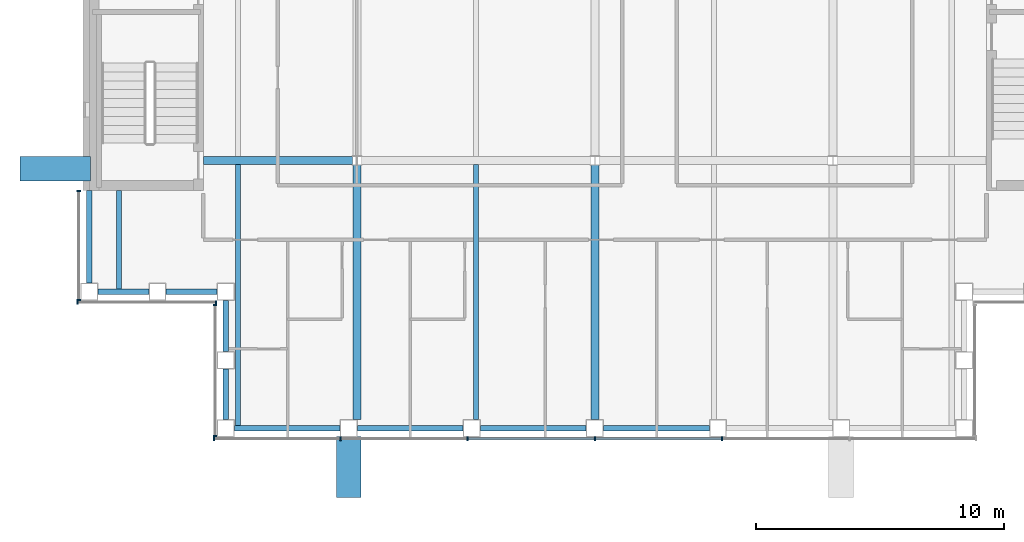
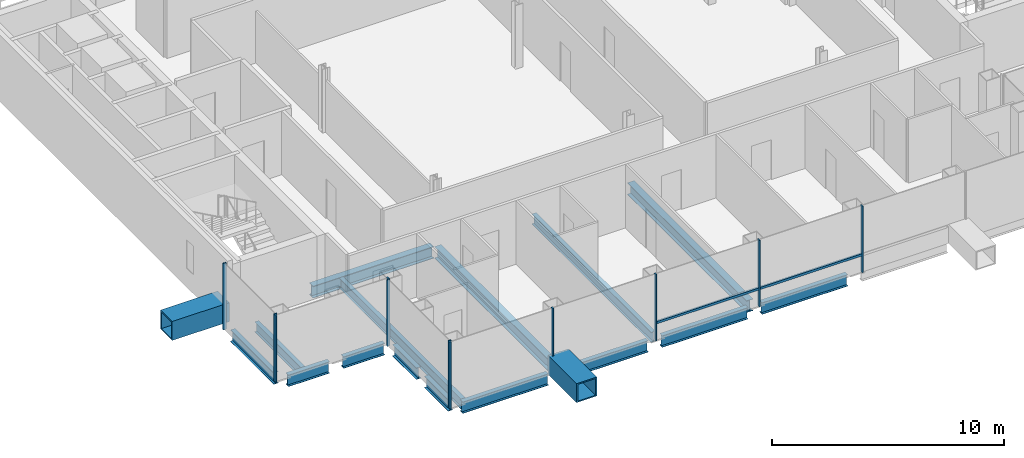
# One storey, part 3 of 14: 17 beams, 13 members, 4 elements without a shape of their own.
"""IFC4 building model written with IfcOpenShell, lengths in metres."""

from ifc_helpers import new_model, si_unit, direction, frame, origin, origin_2d, place, context, subcontext, project, spatial, rectangle, hollow_rectangle, i_section, extrude, material, material_profile, profile_set, type_object, element, aggregate, save


model = new_model("IFC4")

# Units and contexts
model_context = context("Model", 3, precision=1e-05, world=origin(), true_north=direction((0.0, 1.0)))
body_context = subcontext(model_context, "Body", "Model", "MODEL_VIEW")
ifc_project = project(units=[si_unit("LENGTHUNIT", "METRE"), si_unit("AREAUNIT", "SQUARE_METRE"), si_unit("VOLUMEUNIT", "CUBIC_METRE"), si_unit("PLANEANGLEUNIT", "RADIAN"), si_unit("MASSUNIT", "GRAM", prefix="KILO")], contexts=[model_context])

# Site, building, storey
site_placement = place(None, origin())
site = spatial("IfcSite", under=ifc_project, at=site_placement, CompositionType="ELEMENT")
building_placement = place(site_placement, origin())
building = spatial("IfcBuilding", under=site, at=building_placement, Name="Cobrizo Arcos Hotel Tower", CompositionType="ELEMENT")
storey_placement = place(building_placement, frame((0.0, 0.0, 208.5)))
storey = spatial("IfcBuildingStorey", under=building, at=storey_placement, Name="L54", CompositionType="ELEMENT", Elevation=208.5)

# Beams
ifc_material_1 = material(Name="Steel ASTM A572 Grade 50", Category="steel")
ifc_material_profile_1 = material_profile(ifc_material_1, hollow_rectangle(XDim=1.0, YDim=1.0, WallThickness=0.06005859375, at=origin_2d()), Name="BOX 1000X1000X60")
ifc_profile_set_1 = profile_set([ifc_material_profile_1], Name="Steel ASTM A572 Grade 50")
beam_type_1 = type_object("IfcBeamType", Name="BOX 1000X1000X60 brace connector strut", PredefinedType="BEAM", material=ifc_profile_set_1)
beam_1_placement = place(storey_placement, frame((-9.933349609375, -20.739990234375, 0.5), z_axis=(0.0, -1.0, 0.0), x_axis=(1.0, 0.0, 0.0)))
element("IfcBeam", 1, at=beam_1_placement, inside=storey, type_object=beam_type_1, Name="Perimeter brace stub BS1, zone Z4, south face, offset -9.93 m, L54", PredefinedType="BEAM", context=body_context, shape_type="SweptSolid", body=[
    extrude(hollow_rectangle(XDim=1.0, YDim=1.0, WallThickness=0.06005859375, at=origin_2d()), origin(), (0.0, 0.0, 1.0), 2.455078125),
])
beam_2_placement = place(storey_placement, frame((-20.35009765625, -9.933349609375, 0.5), z_axis=(-1.0, 0.0, 0.0), x_axis=(0.0, -1.0, 0.0)))
element("IfcBeam", 2, at=beam_2_placement, inside=storey, type_object=beam_type_1, Name="Perimeter brace stub BS1, zone Z4, west face, offset -9.93 m, L54", PredefinedType="BEAM", context=body_context, shape_type="SweptSolid", body=[
    extrude(hollow_rectangle(XDim=1.0, YDim=1.0, WallThickness=0.06005859375, at=origin_2d()), origin(), (0.0, 0.0, 1.0), 2.844970703125),
])

# Curtain wall, members
ifc_material_2 = material(Name="Aluminium 6063-T6 anodised bronze", Category="aluminium")
curtain_wall_type = type_object("IfcCurtainWallType", Name="CW-A guest facade", PredefinedType="NOTDEFINED", material=ifc_material_2)
curtain_wall_1_placement = place(storey_placement, origin())
curtain_wall_1 = element("IfcCurtainWall", 3, at=curtain_wall_1_placement, inside=storey, type_object=curtain_wall_type, Name="CW-A L54 S face", PredefinedType="NOTDEFINED")
ifc_material_profile_2 = material_profile(ifc_material_2, rectangle(XDim=0.14990234375, YDim=0.06005859375, at=origin_2d()), Name="CW-A mullion 150x60")
ifc_profile_set_2 = profile_set([ifc_material_profile_2], Name="Aluminium 6063-T6 anodised bronze")
member_type_1 = type_object("IfcMemberType", Name="CW-A mullion 150x60", PredefinedType="MULLION", material=ifc_profile_set_2)
member_1_placement = place(storey_placement, frame((-15.3701171875, -20.824951171875, 0.0), z_axis=(0.0, 0.0, 1.0), x_axis=(0.0, -1.0, 0.0)))
member_1 = element("IfcMember", 4, at=member_1_placement, type_object=member_type_1, Name="CW-A mullion 1", PredefinedType="MULLION", context=body_context, shape_type="SweptSolid", body=[
    extrude(rectangle(XDim=0.14990234375, YDim=0.06005859375, at=origin_2d()), origin(), (0.0, 0.0, 1.0), 3.5),
])
member_2_placement = place(storey_placement, frame((-10.2666015625, -20.824951171875, 0.0), z_axis=(0.0, 0.0, 1.0), x_axis=(0.0, -1.0, 0.0)))
member_2 = element("IfcMember", 5, at=member_2_placement, type_object=member_type_1, Name="CW-A mullion 2", PredefinedType="MULLION", context=body_context, shape_type="SweptSolid", body=[
    extrude(rectangle(XDim=0.14990234375, YDim=0.06005859375, at=origin_2d()), origin(), (0.0, 0.0, 1.0), 3.5),
])
member_3_placement = place(storey_placement, frame((-5.13330078125, -20.824951171875, 0.0), z_axis=(0.0, 0.0, 1.0), x_axis=(0.0, -1.0, 0.0)))
member_3 = element("IfcMember", 6, at=member_3_placement, type_object=member_type_1, Name="CW-A mullion 3", PredefinedType="MULLION", context=body_context, shape_type="SweptSolid", body=[
    extrude(rectangle(XDim=0.14990234375, YDim=0.06005859375, at=origin_2d()), origin(), (0.0, 0.0, 1.0), 3.5),
])
member_4_placement = place(storey_placement, frame((0.0, -20.824951171875, 0.0), z_axis=(0.0, 0.0, 1.0), x_axis=(0.0, -1.0, 0.0)))
member_4 = element("IfcMember", 7, at=member_4_placement, type_object=member_type_1, Name="CW-A mullion 4", PredefinedType="MULLION", context=body_context, shape_type="SweptSolid", body=[
    extrude(rectangle(XDim=0.14990234375, YDim=0.06005859375, at=origin_2d()), origin(), (0.0, 0.0, 1.0), 3.5),
])
member_5_placement = place(storey_placement, frame((5.13330078125, -20.824951171875, 0.0), z_axis=(0.0, 0.0, 1.0), x_axis=(0.0, -1.0, 0.0)))
member_5 = element("IfcMember", 8, at=member_5_placement, type_object=member_type_1, Name="CW-A mullion 5", PredefinedType="MULLION", context=body_context, shape_type="SweptSolid", body=[
    extrude(rectangle(XDim=0.14990234375, YDim=0.06005859375, at=origin_2d()), origin(), (0.0, 0.0, 1.0), 3.5),
])

curtain_wall_2_placement = place(storey_placement, origin())
curtain_wall_2 = element("IfcCurtainWall", 9, at=curtain_wall_2_placement, inside=storey, type_object=curtain_wall_type, Name="CW-A L54 W face", PredefinedType="NOTDEFINED")
member_6_placement = place(storey_placement, frame((-20.824951171875, -10.830078125, 0.0), z_axis=(0.0, 0.0, 1.0), x_axis=(-1.0, 0.0, 0.0)))
member_6 = element("IfcMember", 10, at=member_6_placement, type_object=member_type_1, Name="CW-A mullion 1", PredefinedType="MULLION", context=body_context, shape_type="SweptSolid", body=[
    extrude(rectangle(XDim=0.14990234375, YDim=0.06005859375, at=origin_2d()), origin(), (0.0, 0.0, 1.0), 3.5),
])
member_7_placement = place(storey_placement, frame((-20.824951171875, -15.219970703125, 0.0), z_axis=(0.0, 0.0, 1.0), x_axis=(-1.0, 0.0, 0.0)))
member_7 = element("IfcMember", 11, at=member_7_placement, type_object=member_type_1, Name="CW-A mullion 2", PredefinedType="MULLION", context=body_context, shape_type="SweptSolid", body=[
    extrude(rectangle(XDim=0.14990234375, YDim=0.06005859375, at=origin_2d()), origin(), (0.0, 0.0, 1.0), 3.5),
])
aggregate(curtain_wall_2, [member_6, member_7])

curtain_wall_3_placement = place(storey_placement, origin())
curtain_wall_3 = element("IfcCurtainWall", 12, at=curtain_wall_3_placement, inside=storey, type_object=curtain_wall_type, Name="CW-A L54 S face", PredefinedType="NOTDEFINED")
member_8_placement = place(storey_placement, frame((-20.8701171875, -15.324951171875, 0.0), z_axis=(0.0, 0.0, 1.0), x_axis=(0.0, -1.0, 0.0)))
member_8 = element("IfcMember", 13, at=member_8_placement, type_object=member_type_1, Name="CW-A mullion 1", PredefinedType="MULLION", context=body_context, shape_type="SweptSolid", body=[
    extrude(rectangle(XDim=0.14990234375, YDim=0.06005859375, at=origin_2d()), origin(), (0.0, 0.0, 1.0), 3.5),
])
member_9_placement = place(storey_placement, frame((-15.280029296875, -15.324951171875, 0.0), z_axis=(0.0, 0.0, 1.0), x_axis=(0.0, -1.0, 0.0)))
member_9 = element("IfcMember", 14, at=member_9_placement, type_object=member_type_1, Name="CW-A mullion 2", PredefinedType="MULLION", context=body_context, shape_type="SweptSolid", body=[
    extrude(rectangle(XDim=0.14990234375, YDim=0.06005859375, at=origin_2d()), origin(), (0.0, 0.0, 1.0), 3.5),
])
aggregate(curtain_wall_3, [member_8, member_9])

curtain_wall_4_placement = place(storey_placement, origin())
curtain_wall_4 = element("IfcCurtainWall", 15, at=curtain_wall_4_placement, inside=storey, type_object=curtain_wall_type, Name="CW-A L54 W face", PredefinedType="NOTDEFINED")
member_10_placement = place(storey_placement, frame((-15.324951171875, -15.429931640625, 0.0), z_axis=(0.0, 0.0, 1.0), x_axis=(-1.0, 0.0, 0.0)))
member_10 = element("IfcMember", 16, at=member_10_placement, type_object=member_type_1, Name="CW-A mullion 1", PredefinedType="MULLION", context=body_context, shape_type="SweptSolid", body=[
    extrude(rectangle(XDim=0.14990234375, YDim=0.06005859375, at=origin_2d()), origin(), (0.0, 0.0, 1.0), 3.5),
])
member_11_placement = place(storey_placement, frame((-15.324951171875, -20.719970703125, 0.0), z_axis=(0.0, 0.0, 1.0), x_axis=(-1.0, 0.0, 0.0)))
member_11 = element("IfcMember", 17, at=member_11_placement, type_object=member_type_1, Name="CW-A mullion 2", PredefinedType="MULLION", context=body_context, shape_type="SweptSolid", body=[
    extrude(rectangle(XDim=0.14990234375, YDim=0.06005859375, at=origin_2d()), origin(), (0.0, 0.0, 1.0), 3.5),
])
aggregate(curtain_wall_4, [member_10, member_11])

# Member
ifc_material_profile_3 = material_profile(ifc_material_2, rectangle(XDim=0.10009765625, YDim=0.1201171875, at=origin_2d()), Name="CW-A transom 120x100")
ifc_profile_set_3 = profile_set([ifc_material_profile_3], Name="Aluminium 6063-T6 anodised bronze")
member_type_2 = type_object("IfcMemberType", Name="CW-A transom 120x100", PredefinedType="USERDEFINED", material=ifc_profile_set_3)
member_12_placement = place(storey_placement, frame((-5.103271484375, -20.824951171875, 0.929931640625), z_axis=(1.0, 0.0, 0.0), x_axis=(0.0, 1.0, 0.0)))
member_12 = element("IfcMember", 18, at=member_12_placement, type_object=member_type_2, Name="CW-A transom 1818", ObjectType="TRANSOM", PredefinedType="USERDEFINED", context=body_context, shape_type="SweptSolid", body=[
    extrude(rectangle(XDim=0.10009765625, YDim=0.1201171875, at=origin_2d()), origin(), (0.0, 0.0, 1.0), 5.0732421875),
])

member_13_placement = place(storey_placement, frame((0.030029296875, -20.824951171875, 0.929931640625), z_axis=(1.0, 0.0, 0.0), x_axis=(0.0, 1.0, 0.0)))
member_13 = element("IfcMember", 19, at=member_13_placement, type_object=member_type_2, Name="CW-A transom 1819", ObjectType="TRANSOM", PredefinedType="USERDEFINED", context=body_context, shape_type="SweptSolid", body=[
    extrude(rectangle(XDim=0.10009765625, YDim=0.1201171875, at=origin_2d()), origin(), (0.0, 0.0, 1.0), 5.0732421875),
])

aggregate(curtain_wall_1, [member_1, member_2, member_3, member_4, member_5, member_12, member_13])

# Beams
ifc_material_3 = material(Name="Steel ASTM A992 Grade 50", Category="steel")
ifc_material_profile_4 = material_profile(ifc_material_3, i_section(OverallWidth=0.209228515625, OverallDepth=0.533447265625, WebThickness=0.01025390625, FlangeThickness=0.015625, at=origin_2d()), Name="W21X62")
ifc_profile_set_4 = profile_set([ifc_material_profile_4], Name="Steel ASTM A992 Grade 50")
beam_type_2 = type_object("IfcBeamType", Name="W21X62 joist", PredefinedType="JOIST", material=ifc_profile_set_4)
beam_3_placement = place(storey_placement, frame((-19.199951171875, -14.81005859375, -0.416748046875), z_axis=(0.0, 1.0, 0.0), x_axis=(-1.0, 0.0, 0.0)))
element("IfcBeam", 20, at=beam_3_placement, inside=storey, type_object=beam_type_2, Name="Floor joist J1, L54, no. 001", PredefinedType="JOIST", context=body_context, shape_type="SweptSolid", body=[
    extrude(i_section(OverallWidth=0.209228515625, OverallDepth=0.533447265625, WebThickness=0.01025390625, FlangeThickness=0.015625, at=origin_2d()), origin(), (0.0, 0.0, 1.0), 4.0),
])
beam_4_placement = place(storey_placement, frame((-14.39990234375, -20.31005859375, -0.416748046875), z_axis=(0.0, 1.0, 0.0), x_axis=(-1.0, 0.0, 0.0)))
element("IfcBeam", 21, at=beam_4_placement, inside=storey, type_object=beam_type_2, Name="Floor joist J1, L54, no. 003", PredefinedType="JOIST", context=body_context, shape_type="SweptSolid", body=[
    extrude(i_section(OverallWidth=0.209228515625, OverallDepth=0.533447265625, WebThickness=0.01025390625, FlangeThickness=0.015625, at=origin_2d()), origin(), (0.0, 0.0, 1.0), 10.546142578125),
])
beam_5_placement = place(storey_placement, frame((-4.800048828125, -20.050048828125, -0.416748046875), z_axis=(0.0, 1.0, 0.0), x_axis=(-1.0, 0.0, 0.0)))
element("IfcBeam", 22, at=beam_5_placement, inside=storey, type_object=beam_type_2, Name="Floor joist J1, L54, no. 007", PredefinedType="JOIST", context=body_context, shape_type="SweptSolid", body=[
    extrude(i_section(OverallWidth=0.209228515625, OverallDepth=0.533447265625, WebThickness=0.01025390625, FlangeThickness=0.015625, at=origin_2d()), origin(), (0.0, 0.0, 1.0), 10.2861328125),
])
ifc_material_profile_5 = material_profile(ifc_material_3, i_section(OverallWidth=0.32763671875, OverallDepth=0.622314453125, WebThickness=0.015380859375, FlangeThickness=0.0244140625, at=origin_2d()), Name="W24X131")
ifc_profile_set_5 = profile_set([ifc_material_profile_5], Name="Steel ASTM A992 Grade 50")
beam_type_3 = type_object("IfcBeamType", Name="W24X131 girder", PredefinedType="BEAM", material=ifc_profile_set_5)
beam_6_placement = place(storey_placement, frame((-15.7900390625, -9.60009765625, -0.461181640625), z_axis=(1.0, 0.0, 0.0), x_axis=(0.0, 1.0, 0.0)))
element("IfcBeam", 23, at=beam_6_placement, inside=storey, type_object=beam_type_3, Name="Floor girder G1, L54, no. 001", PredefinedType="BEAM", context=body_context, shape_type="SweptSolid", body=[
    extrude(i_section(OverallWidth=0.32763671875, OverallDepth=0.622314453125, WebThickness=0.015380859375, FlangeThickness=0.0244140625, at=origin_2d()), origin(), (0.0, 0.0, 1.0), 6.00341796875),
])
for number, where, z_axis, x_axis, name in (
    (24, (-9.60009765625, -20.050048828125, -0.461181640625), (0.0, 1.0, 0.0), (-1.0, 0.0, 0.0), "Floor girder G1, L54, no. 013"),
    (25, (0.0, -20.050048828125, -0.461181640625), (0.0, 1.0, 0.0), (-1.0, 0.0, 0.0), "Floor girder G1, L54, no. 017"),
):
    element("IfcBeam", number, at=place(storey_placement, frame(where, z_axis=z_axis, x_axis=x_axis)), inside=storey, type_object=beam_type_3, Name=name, PredefinedType="BEAM", context=body_context, shape_type="SweptSolid", body=[
        extrude(i_section(OverallWidth=0.32763671875, OverallDepth=0.622314453125, WebThickness=0.015380859375, FlangeThickness=0.0244140625, at=origin_2d()), origin(), (0.0, 0.0, 1.0), 10.263427734375),
    ])
ifc_material_profile_6 = material_profile(ifc_material_3, i_section(OverallWidth=0.228271484375, OverallDepth=0.607177734375, WebThickness=0.01123046875, FlangeThickness=0.017333984375, at=origin_2d()), Name="W24X76")
ifc_profile_set_6 = profile_set([ifc_material_profile_6], Name="Steel ASTM A992 Grade 50")
beam_type_4 = type_object("IfcBeamType", Name="W24X76 spandrel", PredefinedType="SPANDREL", material=ifc_profile_set_6)
beam_7_placement = place(storey_placement, frame((-14.550048828125, -20.39990234375, -0.45361328125), z_axis=(1.0, 0.0, 0.0), x_axis=(0.0, 1.0, 0.0)))
element("IfcBeam", 26, at=beam_7_placement, inside=storey, type_object=beam_type_4, Name="Spandrel beam W24X76, L54, no. 001", PredefinedType="SPANDREL", context=body_context, shape_type="SweptSolid", body=[
    extrude(i_section(OverallWidth=0.228271484375, OverallDepth=0.607177734375, WebThickness=0.01123046875, FlangeThickness=0.017333984375, at=origin_2d()), origin(), (0.0, 0.0, 1.0), 4.26708984375),
])
beam_8_placement = place(storey_placement, frame((-9.5830078125, -20.39990234375, -0.45361328125), z_axis=(1.0, 0.0, 0.0), x_axis=(0.0, 1.0, 0.0)))
element("IfcBeam", 27, at=beam_8_placement, inside=storey, type_object=beam_type_4, Name="Spandrel beam W24X76, L54, no. 002", PredefinedType="SPANDREL", context=body_context, shape_type="SweptSolid", body=[
    extrude(i_section(OverallWidth=0.228271484375, OverallDepth=0.607177734375, WebThickness=0.01123046875, FlangeThickness=0.017333984375, at=origin_2d()), origin(), (0.0, 0.0, 1.0), 4.26611328125),
])
for number, where, z_axis, x_axis, name in (
    (28, (-4.616943359375, -20.39990234375, -0.45361328125), (1.0, 0.0, 0.0), (0.0, 1.0, 0.0), "Spandrel beam W24X76, L54, no. 003"),
    (29, (0.35009765625, -20.39990234375, -0.45361328125), (1.0, 0.0, 0.0), (0.0, 1.0, 0.0), "Spandrel beam W24X76, L54, no. 004"),
):
    element("IfcBeam", number, at=place(storey_placement, frame(where, z_axis=z_axis, x_axis=x_axis)), inside=storey, type_object=beam_type_4, Name=name, PredefinedType="SPANDREL", context=body_context, shape_type="SweptSolid", body=[
        extrude(i_section(OverallWidth=0.228271484375, OverallDepth=0.607177734375, WebThickness=0.01123046875, FlangeThickness=0.017333984375, at=origin_2d()), origin(), (0.0, 0.0, 1.0), 4.266845703125),
    ])
beam_9_placement = place(storey_placement, frame((-20.39990234375, -10.81005859375, -0.45361328125), z_axis=(0.0, -1.0, 0.0), x_axis=(1.0, 0.0, 0.0)))
element("IfcBeam", 30, at=beam_9_placement, inside=storey, type_object=beam_type_4, Name="Spandrel beam W24X76, L54, no. 028", PredefinedType="SPANDREL", context=body_context, shape_type="SweptSolid", body=[
    extrude(i_section(OverallWidth=0.228271484375, OverallDepth=0.607177734375, WebThickness=0.01123046875, FlangeThickness=0.017333984375, at=origin_2d()), origin(), (0.0, 0.0, 1.0), 3.739990234375),
])
for number, where, z_axis, x_axis, name in (
    (31, (-20.050048828125, -14.89990234375, -0.45361328125), (1.0, 0.0, 0.0), (0.0, 1.0, 0.0), "Spandrel beam W24X76, L54, no. 029"),
    (32, (-17.300048828125, -14.89990234375, -0.45361328125), (1.0, 0.0, 0.0), (0.0, 1.0, 0.0), "Spandrel beam W24X76, L54, no. 030"),
    (33, (-14.89990234375, -15.25, -0.45361328125), (0.0, -1.0, 0.0), (1.0, 0.0, 0.0), "Spandrel beam W24X76, L54, no. 031"),
    (34, (-14.89990234375, -18.0, -0.45361328125), (0.0, -1.0, 0.0), (1.0, 0.0, 0.0), "Spandrel beam W24X76, L54, no. 032"),
):
    element("IfcBeam", number, at=place(storey_placement, frame(where, z_axis=z_axis, x_axis=x_axis)), inside=storey, type_object=beam_type_4, Name=name, PredefinedType="SPANDREL", context=body_context, shape_type="SweptSolid", body=[
        extrude(i_section(OverallWidth=0.228271484375, OverallDepth=0.607177734375, WebThickness=0.01123046875, FlangeThickness=0.017333984375, at=origin_2d()), origin(), (0.0, 0.0, 1.0), 2.050048828125),
    ])

save(model, "model.ifc")
